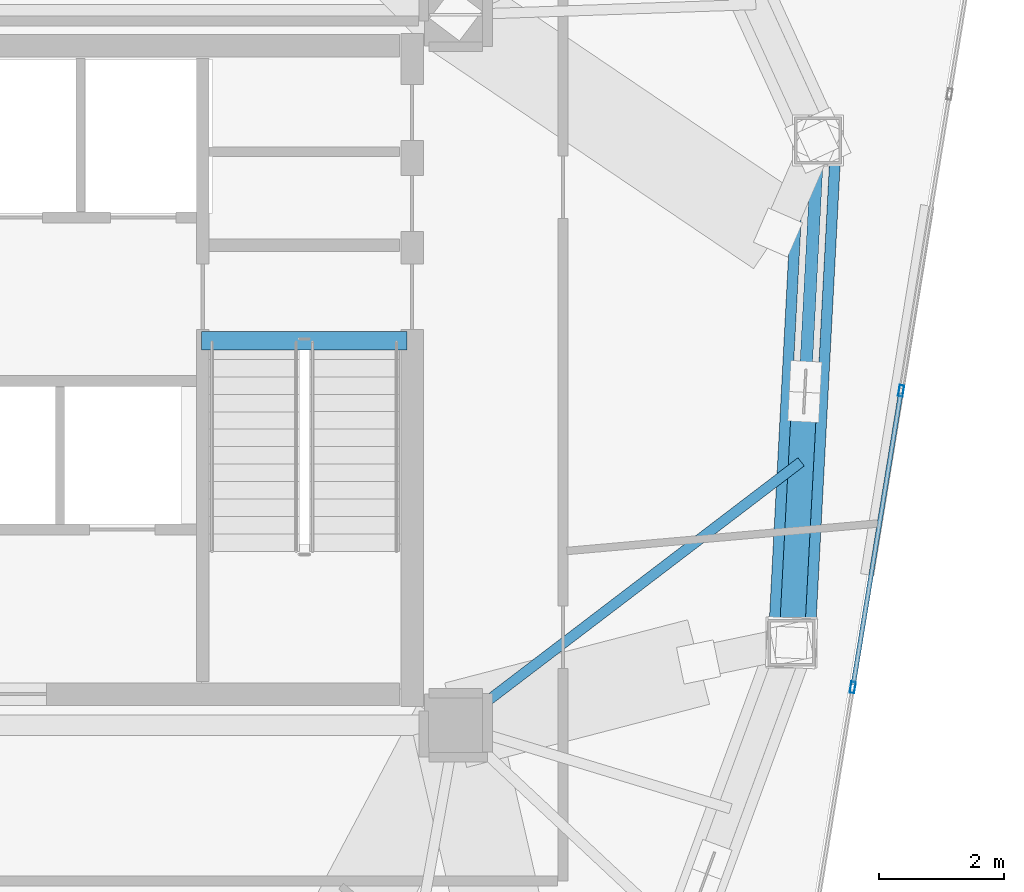
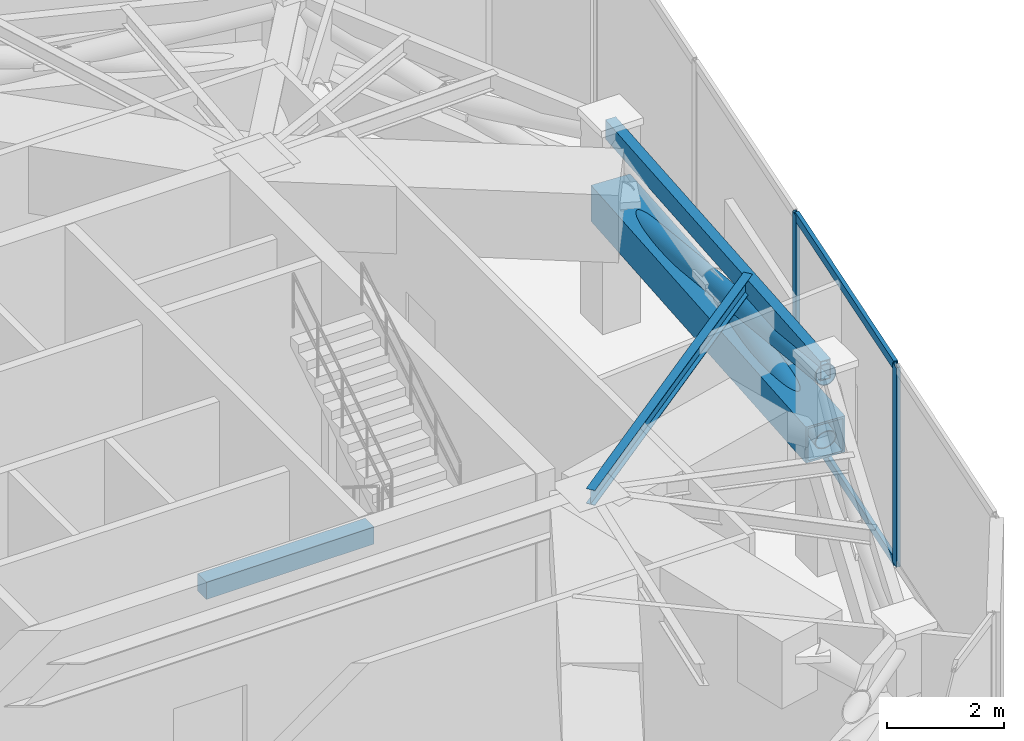
# One storey, part 9 of 19: 7 members, 3 beams, 1 element without a shape of its own.
"""IFC4 building model written with IfcOpenShell, lengths in metres."""

from ifc_helpers import new_model, si_unit, direction, frame, origin, origin_2d, place, context, subcontext, project, spatial, rectangle, hollow_rectangle, hollow_circle, i_section, extrude, source, transform, mapped, material, layer, layer_set, material_profile, profile_set, type_object, type_shapes, element, aggregate, save


model = new_model("IFC4")

# Units and contexts
model_context = context("Model", 3, precision=1e-05, world=origin(), true_north=direction((0.0, 1.0)))
body_context = subcontext(model_context, "Body", "Model", "MODEL_VIEW")
ifc_project = project(units=[si_unit("LENGTHUNIT", "METRE"), si_unit("AREAUNIT", "SQUARE_METRE"), si_unit("VOLUMEUNIT", "CUBIC_METRE"), si_unit("PLANEANGLEUNIT", "RADIAN"), si_unit("MASSUNIT", "GRAM", prefix="KILO")], contexts=[model_context])

# Site, building, storey
site_placement = place(None, origin())
site = spatial("IfcSite", under=ifc_project, at=site_placement, CompositionType="ELEMENT")
building_placement = place(site_placement, origin())
building = spatial("IfcBuilding", under=site, at=building_placement, Name="Talar Marvaseh", CompositionType="ELEMENT")
storey_placement = place(building_placement, frame((0.0, 0.0, 236.199951171875)))
storey = spatial("IfcBuildingStorey", under=building, at=storey_placement, Name="L62", CompositionType="ELEMENT", Elevation=236.199951171875)

# Beams
ifc_material_1 = material(Name="Concrete C40/50", Category="concrete")
ifc_material_profile_1 = material_profile(ifc_material_1, rectangle(XDim=0.300048828125, YDim=0.360107421875, at=origin_2d()), Name="RC300x360")
ifc_profile_set_1 = profile_set([ifc_material_profile_1], Name="Concrete C40/50")
beam_type_1 = type_object("IfcBeamType", Name="Concrete Stair Landing Trimmer Beam RC300x360", PredefinedType="SPANDREL", material=ifc_profile_set_1)
beam_1_placement = place(storey_placement, frame((29.219970703125, 31.669921875, -0.179931640625), z_axis=(1.0, 0.0, 0.0), x_axis=(0.0, 1.0, 0.0)))
element("IfcBeam", 1, at=beam_1_placement, inside=storey, type_object=beam_type_1, Name="L62 ST-2 Stair Nosing Trimmer Beam", PredefinedType="SPANDREL", context=body_context, shape_type="SweptSolid", body=[
    extrude(rectangle(XDim=0.300048828125, YDim=0.360107421875, at=origin_2d()), origin(), (0.0, 0.0, 1.0), 3.300048828125),
])
ifc_material_2 = material(Name="Steel S355", Category="steel")
ifc_material_profile_2 = material_profile(ifc_material_2, hollow_rectangle(XDim=0.199951171875, YDim=0.39990234375, WallThickness=0.013916015625, at=origin_2d()), Name="RHS400x200x14")
ifc_profile_set_2 = profile_set([ifc_material_profile_2], Name="Steel S355")
beam_type_2 = type_object("IfcBeamType", Name="Zone 3 Perimeter Spandrel Beam RHS400x200x14", PredefinedType="SPANDREL", material=ifc_profile_set_2)
beam_2_placement = place(storey_placement, frame((39.113037109375, 34.884033203125, 3.949951171875), z_axis=(-0.052541369293, -0.998618748328, 0.0), x_axis=(0.998618748328, -0.052541369293, 0.0)))
element("IfcBeam", 2, at=beam_2_placement, inside=storey, type_object=beam_type_2, Name="L62 Zone 3 Perimeter Spandrel Beam RHS400x200x14", PredefinedType="SPANDREL", context=body_context, shape_type="SweptSolid", body=[
    extrude(hollow_rectangle(XDim=0.199951171875, YDim=0.39990234375, WallThickness=0.013916015625, at=origin_2d()), origin(), (0.0, 0.0, 1.0), 8.0712890625),
])
ifc_material_profile_3 = material_profile(ifc_material_2, i_section(OverallWidth=0.166015625, OverallDepth=0.31298828125, WebThickness=0.006591796875, FlangeThickness=0.01123046875, at=origin_2d()), Name="W310x45")
ifc_profile_set_3 = profile_set([ifc_material_profile_3], Name="Steel S355")
beam_type_3 = type_object("IfcBeamType", Name="Zone 3 Secondary Floor Joist W310x45", PredefinedType="JOIST", material=ifc_profile_set_3)
beam_3_placement = place(storey_placement, frame((38.841552734375, 29.7255859375, 3.99365234375), z_axis=(-0.795190393297, -0.606359825852, 0.0), x_axis=(0.606359825852, -0.795190393297, 0.0)))
element("IfcBeam", 3, at=beam_3_placement, inside=storey, type_object=beam_type_3, Name="L62 Zone 3 Secondary Floor Joist W310x45", PredefinedType="JOIST", context=body_context, shape_type="SweptSolid", body=[
    extrude(i_section(OverallWidth=0.166015625, OverallDepth=0.31298828125, WebThickness=0.006591796875, FlangeThickness=0.01123046875, at=origin_2d()), origin(), (0.0, 0.0, 1.0), 6.96875),
])

# Members
ifc_material_3 = material(Name="Steel S460", Category="steel")
ifc_material_profile_4 = material_profile(ifc_material_3, hollow_rectangle(XDim=0.75, YDim=0.75, WallThickness=0.0400390625, at=origin_2d()), Name="BOX750x750x40")
ifc_profile_set_4 = profile_set([ifc_material_profile_4], Name="Steel S460")
member_type_1 = type_object("IfcMemberType", Name="Belt Truss Chord Member BOX750x750x40", PredefinedType="CHORD", material=ifc_profile_set_4)
shared_shape_1 = source(origin(), body_context, "Body", "SweptSolid", [
    extrude(hollow_rectangle(XDim=0.75, YDim=0.75, WallThickness=0.0400390625, at=origin_2d()), origin(), (0.0, 0.0, 1.0), 8.0712890625),
])
type_shapes(member_type_1, [shared_shape_1])
member_1_placement = place(storey_placement, frame((39.113037109375, 34.884033203125, 2.5), z_axis=(-0.052541369293, -0.998618748328, 0.0), x_axis=(0.998618748328, -0.052541369293, 0.0)))
element("IfcMember", 4, at=member_1_placement, inside=storey, type_object=member_type_1, Name="L62 Belt Truss Bottom Chord 3", PredefinedType="CHORD", context=body_context, shape_type="MappedRepresentation", body=[
    mapped(shared_shape_1, transform((0.0, 0.0, 0.0), x_axis=(1.0, 0.0, 0.0), y_axis=(0.0, 1.0, 0.0), z_axis=(0.0, 0.0, 1.0), scale=1.0)),
])
ifc_material_profile_5 = material_profile(ifc_material_3, hollow_circle(Radius=0.203125, WallThickness=0.01611328125, at=origin_2d()), Name="CHS406x16")
ifc_profile_set_5 = profile_set([ifc_material_profile_5], Name="Steel S460")
member_type_2 = type_object("IfcMemberType", Name="Belt Truss Diagonal Brace CHS406x16", PredefinedType="BRACE", material=ifc_profile_set_5)
shared_shape_2 = source(origin(), body_context, "Body", "SweptSolid", [
    extrude(hollow_circle(Radius=0.203125, WallThickness=0.01611328125, at=origin_2d()), origin(), (0.0, 0.0, 1.0), 8.183349609375),
])
member_2_placement = place(storey_placement, frame((39.113037109375, 34.884033203125, 2.5), z_axis=(-0.051821380328, -0.984934398479, 0.164981135991), x_axis=(0.998618748328, -0.052541369293, 0.0)))
element("IfcMember", 5, at=member_2_placement, inside=storey, type_object=member_type_2, Name="L62 Belt Truss Continuous Diagonal 3", PredefinedType="BRACE", context=body_context, shape_type="MappedRepresentation", body=[
    mapped(shared_shape_2, transform((0.0, 0.0, 0.0), x_axis=(1.0, 0.0, 0.0), y_axis=(0.0, 1.0, 0.0), z_axis=(0.0, 0.0, 1.0), scale=1.0)),
])
shared_shape_3 = source(origin(), body_context, "Body", "SweptSolid", [
    extrude(hollow_circle(Radius=0.203125, WallThickness=0.01611328125, at=origin_2d()), origin(), (0.0, 0.0, 1.0), 3.851806640625),
])
type_shapes(member_type_2, [shared_shape_2, shared_shape_3])
member_3_placement = place(storey_placement, frame((38.68896484375, 26.823974609375, 2.5), z_axis=(0.051848508966, 0.984931516907, 0.164989815207), x_axis=(-0.998617296697, 0.05256895223, 0.0)))
element("IfcMember", 6, at=member_3_placement, inside=storey, type_object=member_type_2, Name="L62 Belt Truss Split Diagonal Lower 3", PredefinedType="BRACE", context=body_context, shape_type="MappedRepresentation", body=[
    mapped(shared_shape_3, transform((0.0, 0.0, 0.0), x_axis=(1.0, 0.0, 0.0), y_axis=(0.0, 1.0, 0.0), z_axis=(0.0, 0.0, 1.0), scale=1.0)),
])

# Curtain wall, members
ifc_material_4 = material(Name="Architectural Aluminium", Category="aluminium")
ifc_layer = layer(ifc_material_4, 0.18994140625)
ifc_layer_set = layer_set([ifc_layer], Name="Architectural Aluminium")
curtain_wall_type = type_object("IfcCurtainWallType", Name="Unitised Solar Atelier Curtain Wall Z3", PredefinedType="NOTDEFINED", material=ifc_layer_set)
curtain_wall_placement = place(storey_placement, origin())
curtain_wall = element("IfcCurtainWall", 7, at=curtain_wall_placement, inside=storey, type_object=curtain_wall_type, Name="L62 Unitised Solar Atelier Curtain Wall Z3", PredefinedType="NOTDEFINED")
ifc_material_profile_6 = material_profile(ifc_material_4, hollow_rectangle(XDim=0.074951171875, YDim=0.179931640625, WallThickness=0.0048828125, at=origin_2d()), Name="RHS180x75x5")
ifc_profile_set_6 = profile_set([ifc_material_profile_6], Name="Architectural Aluminium")
member_type_3 = type_object("IfcMemberType", Name="Unitised Curtain Wall Standard Mullion RHS180x75x5", PredefinedType="MULLION", material=ifc_profile_set_6)
shared_shape_4 = source(origin(), body_context, "Body", "SweptSolid", [
    extrude(hollow_rectangle(XDim=0.074951171875, YDim=0.179931640625, WallThickness=0.0048828125, at=origin_2d()), origin(), (0.0, 0.0, 1.0), 4.150146484375),
])
type_shapes(member_type_3, [shared_shape_4])
member_4_placement = place(storey_placement, frame((40.447021484375, 30.865966796875, 0.0), z_axis=(0.0, 0.0, 1.0), x_axis=(0.986971316934, -0.160896300608, 0.0)))
member_4 = element("IfcMember", 8, at=member_4_placement, type_object=member_type_3, Name="CW-Z3 mullion 3", PredefinedType="MULLION", context=body_context, shape_type="MappedRepresentation", body=[
    mapped(shared_shape_4, transform((0.0, 0.0, 0.0), x_axis=(1.0, 0.0, 0.0), y_axis=(0.0, 1.0, 0.0), z_axis=(0.0, 0.0, 1.0), scale=1.0)),
])
member_5_placement = place(storey_placement, frame((39.671142578125, 26.10693359375, 0.0), z_axis=(0.0, 0.0, 1.0), x_axis=(0.986971316934, -0.160896300608, 0.0)))
member_5 = element("IfcMember", 9, at=member_5_placement, type_object=member_type_3, Name="CW-Z3 mullion 4", PredefinedType="MULLION", context=body_context, shape_type="MappedRepresentation", body=[
    mapped(shared_shape_4, transform((0.0, 0.0, 0.0), x_axis=(1.0, 0.0, 0.0), y_axis=(0.0, 1.0, 0.0), z_axis=(0.0, 0.0, 1.0), scale=1.0)),
])
ifc_material_profile_7 = material_profile(ifc_material_4, hollow_rectangle(XDim=0.074951171875, YDim=0.179931640625, WallThickness=0.0048828125, at=origin_2d()), Name="RHS180x75x5")
ifc_profile_set_7 = profile_set([ifc_material_profile_7], Name="Architectural Aluminium")
member_type_4 = type_object("IfcMemberType", Name="Unitised Curtain Wall Transom RHS180x75x5", PredefinedType="USERDEFINED", material=ifc_profile_set_7)
shared_shape_5 = source(origin(), body_context, "Body", "SweptSolid", [
    extrude(hollow_rectangle(XDim=0.074951171875, YDim=0.179931640625, WallThickness=0.0048828125, at=origin_2d()), origin(), (0.0, 0.0, 1.0), 4.7470703125),
])
type_shapes(member_type_4, [shared_shape_5])
member_6_placement = place(storey_placement, frame((40.44091796875, 30.8291015625, 0.03759765625), z_axis=(-0.160870178654, -0.986975574986, 0.0), x_axis=(0.986975574986, -0.160870178654, 0.0)))
member_6 = element("IfcMember", 10, at=member_6_placement, type_object=member_type_4, Name="CW-Z3 transom 3.1", ObjectType="TRANSOM", PredefinedType="USERDEFINED", context=body_context, shape_type="MappedRepresentation", body=[
    mapped(shared_shape_5, transform((0.0, 0.0, 0.0), x_axis=(1.0, 0.0, 0.0), y_axis=(0.0, 1.0, 0.0), z_axis=(0.0, 0.0, 1.0), scale=1.0)),
])
member_7_placement = place(storey_placement, frame((40.44091796875, 30.8291015625, 4.112548828125), z_axis=(-0.160870178654, -0.986975574986, 0.0), x_axis=(0.986975574986, -0.160870178654, 0.0)))
member_7 = element("IfcMember", 11, at=member_7_placement, type_object=member_type_4, Name="CW-Z3 transom 3.2", ObjectType="TRANSOM", PredefinedType="USERDEFINED", context=body_context, shape_type="MappedRepresentation", body=[
    mapped(shared_shape_5, transform((0.0, 0.0, 0.0), x_axis=(1.0, 0.0, 0.0), y_axis=(0.0, 1.0, 0.0), z_axis=(0.0, 0.0, 1.0), scale=1.0)),
])
aggregate(curtain_wall, [member_4, member_5, member_6, member_7])

save(model, "model.ifc")
